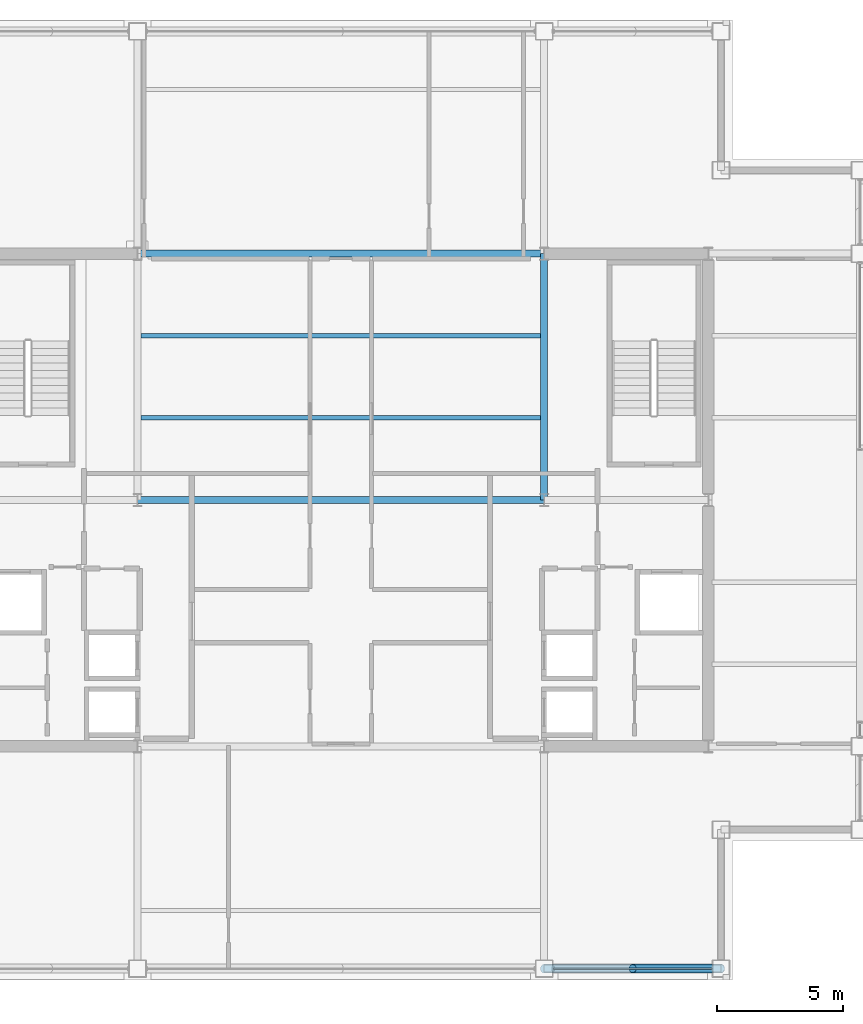
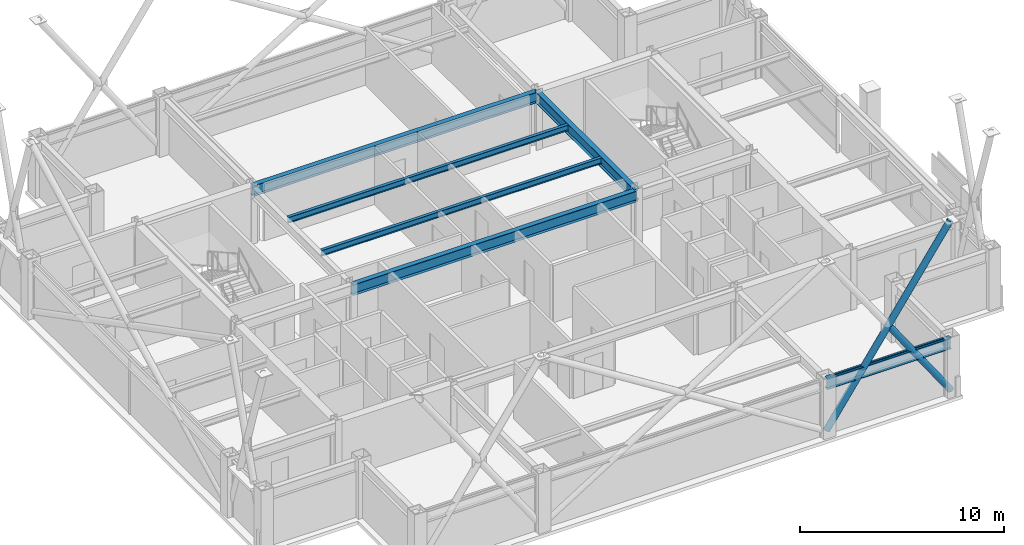
# One storey, part 13 of 33: 6 beams, 3 members, 1 element without a shape of its own.
"""IFC4 building model written with IfcOpenShell, lengths in metres."""

from ifc_helpers import new_model, si_unit, direction, frame, origin, origin_2d, place, context, subcontext, project, spatial, hollow_rectangle, hollow_circle, i_section, extrude, material, layer, layer_set, material_profile, profile_set, type_object, element, aggregate, save


model = new_model("IFC4")

# Units and contexts
model_context = context("Model", 3, precision=1e-05, world=origin(), true_north=direction((0.0, 1.0)))
body_context = subcontext(model_context, "Body", "Model", "MODEL_VIEW")
ifc_project = project(units=[si_unit("LENGTHUNIT", "METRE"), si_unit("AREAUNIT", "SQUARE_METRE"), si_unit("VOLUMEUNIT", "CUBIC_METRE"), si_unit("PLANEANGLEUNIT", "RADIAN"), si_unit("MASSUNIT", "GRAM", prefix="KILO")], contexts=[model_context])

# Site, building, storey
site_placement = place(None, origin())
site = spatial("IfcSite", under=ifc_project, at=site_placement, CompositionType="ELEMENT")
building_placement = place(site_placement, origin())
building = spatial("IfcBuilding", under=site, at=building_placement, Name="Brelmoor Portico Tower", CompositionType="ELEMENT")
storey_placement = place(building_placement, frame((0.0, 0.0, 194.699951171875)))
storey = spatial("IfcBuildingStorey", under=building, at=storey_placement, Name="L51", CompositionType="ELEMENT", Elevation=194.699951171875)

# Beams
ifc_material_1 = material(Name="Steel Q355B", Category="steel")
ifc_material_profile_1 = material_profile(ifc_material_1, i_section(OverallWidth=0.175048828125, OverallDepth=0.35009765625, WebThickness=0.007080078125, FlangeThickness=0.010986328125, at=origin_2d()), Name="HN 350x175x7x11")
ifc_profile_set_1 = profile_set([ifc_material_profile_1], Name="Steel Q355B")
beam_type_1 = type_object("IfcBeamType", Name="BM-JS-350", PredefinedType="JOIST", material=ifc_profile_set_1)
for number, where, z_axis, x_axis, name in (
    (1, (-7.909912109375, 3.25, 3.22509765625), (1.0, 0.0, 0.0), (0.0, 1.0, 0.0), "L51 Secondary Composite Joist JS-C02"),
    (2, (-7.909912109375, 6.5, 3.22509765625), (1.0, 0.0, 0.0), (0.0, 1.0, 0.0), "L51 Secondary Composite Joist JS-C03"),
):
    element("IfcBeam", number, at=place(storey_placement, frame(where, z_axis=z_axis, x_axis=x_axis)), inside=storey, type_object=beam_type_1, Name=name, PredefinedType="JOIST", context=body_context, shape_type="SweptSolid", body=[
        extrude(i_section(OverallWidth=0.175048828125, OverallDepth=0.35009765625, WebThickness=0.007080078125, FlangeThickness=0.010986328125, at=origin_2d()), origin(), (0.0, 0.0, 1.0), 15.81982421875),
    ])
ifc_material_profile_2 = material_profile(ifc_material_1, i_section(OverallWidth=0.280029296875, OverallDepth=0.64990234375, WebThickness=0.012939453125, FlangeThickness=0.02197265625, at=origin_2d()), Name="HN 650x280x13x22")
ifc_profile_set_2 = profile_set([ifc_material_profile_2], Name="Steel Q355B")
beam_type_2 = type_object("IfcBeamType", Name="BM-PG-650", PredefinedType="BEAM", material=ifc_profile_set_2)
beam_1_placement = place(storey_placement, frame((8.050048828125, 0.0, 3.074951171875), z_axis=(0.0, 1.0, 0.0), x_axis=(-1.0, 0.0, 0.0)))
element("IfcBeam", 3, at=beam_1_placement, inside=storey, type_object=beam_type_2, Name="L51 Primary Floor Girder PG-07", PredefinedType="BEAM", context=body_context, shape_type="SweptSolid", body=[
    extrude(i_section(OverallWidth=0.280029296875, OverallDepth=0.64990234375, WebThickness=0.012939453125, FlangeThickness=0.02197265625, at=origin_2d()), origin(), (0.0, 0.0, 1.0), 9.75),
])
for number, where, z_axis, x_axis, name in (
    (4, (-8.050048828125, 0.0, 3.074951171875), (1.0, 0.0, 0.0), (0.0, 1.0, 0.0), "L51 Primary Floor Girder PG-17"),
    (5, (-8.050048828125, 9.75, 3.074951171875), (1.0, 0.0, 0.0), (0.0, 1.0, 0.0), "L51 Primary Floor Girder PG-21"),
):
    element("IfcBeam", number, at=place(storey_placement, frame(where, z_axis=z_axis, x_axis=x_axis)), inside=storey, type_object=beam_type_2, Name=name, PredefinedType="BEAM", context=body_context, shape_type="SweptSolid", body=[
        extrude(i_section(OverallWidth=0.280029296875, OverallDepth=0.64990234375, WebThickness=0.012939453125, FlangeThickness=0.02197265625, at=origin_2d()), origin(), (0.0, 0.0, 1.0), 16.10009765625),
    ])
ifc_material_profile_3 = material_profile(ifc_material_1, i_section(OverallWidth=0.280029296875, OverallDepth=0.64990234375, WebThickness=0.012939453125, FlangeThickness=0.02197265625, at=origin_2d()), Name="HN 650x280x13x22")
ifc_profile_set_3 = profile_set([ifc_material_profile_3], Name="Steel Q355B")
beam_type_3 = type_object("IfcBeamType", Name="BM-SP-650", PredefinedType="SPANDREL", material=ifc_profile_set_3)
beam_2_placement = place(storey_placement, frame((8.050048828125, -18.550048828125, 3.074951171875), z_axis=(1.0, 0.0, 0.0), x_axis=(0.0, 1.0, 0.0)))
element("IfcBeam", 6, at=beam_2_placement, inside=storey, type_object=beam_type_3, Name="L51 Perimeter Spandrel Beam SP-03", PredefinedType="SPANDREL", context=body_context, shape_type="SweptSolid", body=[
    extrude(i_section(OverallWidth=0.280029296875, OverallDepth=0.64990234375, WebThickness=0.012939453125, FlangeThickness=0.02197265625, at=origin_2d()), origin(), (0.0, 0.0, 1.0), 7.0),
])

# Members
ifc_material_profile_4 = material_profile(ifc_material_1, hollow_circle(Radius=0.177978515625, WallThickness=0.01611328125, at=origin_2d()), Name="CHS 356x16")
ifc_profile_set_4 = profile_set([ifc_material_profile_4], Name="Steel Q355B")
member_type_1 = type_object("IfcMemberType", Name="MB-BELT-DIAG2", PredefinedType="BRACE", material=ifc_profile_set_4)
member_1_placement = place(storey_placement, frame((8.050048828125, -18.550048828125, 0.25), z_axis=(0.569629338867, 0.0, 0.821901707203), x_axis=(0.0, 1.0, 0.0)))
element("IfcMember", 7, at=member_1_placement, inside=storey, type_object=member_type_1, Name="L51 Continuous Mega-X Brace 118A", PredefinedType="BRACE", context=body_context, shape_type="SweptSolid", body=[
    extrude(hollow_circle(Radius=0.177978515625, WallThickness=0.01611328125, at=origin_2d()), origin(), (0.0, 0.0, 1.0), 12.28857421875),
])
member_2_placement = place(storey_placement, frame((15.050048828125, -18.550048828125, 0.25), z_axis=(-0.569629338867, 0.0, 0.821901707203), x_axis=(0.0, -1.0, 0.0)))
element("IfcMember", 8, at=member_2_placement, inside=storey, type_object=member_type_1, Name="L51 Split Mega-X Brace 118B1", PredefinedType="BRACE", context=body_context, shape_type="SweptSolid", body=[
    extrude(hollow_circle(Radius=0.177978515625, WallThickness=0.01611328125, at=origin_2d()), origin(), (0.0, 0.0, 1.0), 6.144287109375),
])

# Curtain wall, member
ifc_material_2 = material(Name="Anodised Aluminium Alloy 6063-T6", Category="aluminium")
ifc_layer = layer(ifc_material_2, 0.179931640625)
ifc_layer_set = layer_set([ifc_layer], Name="Anodised Aluminium Alloy 6063-T6")
curtain_wall_type = type_object("IfcCurtainWallType", Name="CW-TOWER-Z3-XB", PredefinedType="NOTDEFINED", material=ifc_layer_set)
curtain_wall_placement = place(storey_placement, origin())
curtain_wall = element("IfcCurtainWall", 9, at=curtain_wall_placement, inside=storey, type_object=curtain_wall_type, Name="L51 Curtain Wall CW-L51-01-3", PredefinedType="NOTDEFINED")
ifc_material_profile_5 = material_profile(ifc_material_2, hollow_rectangle(XDim=0.06005859375, YDim=0.125, WallThickness=0.00341796875, at=origin_2d()), Name="ALU TRANSOM 60x125")
ifc_profile_set_5 = profile_set([ifc_material_profile_5], Name="Anodised Aluminium Alloy 6063-T6")
member_type_2 = type_object("IfcMemberType", Name="MB-CW-TRAN-125", PredefinedType="USERDEFINED", material=ifc_profile_set_5)
member_3_placement = place(storey_placement, frame((8.409912109375, -18.550048828125, 3.337646484375), z_axis=(1.0, 0.0, 0.0), x_axis=(0.0, 1.0, 0.0)))
member_3 = element("IfcMember", 10, at=member_3_placement, type_object=member_type_2, Name="CW-L51-01-3 Transom 1-00", ObjectType="TRANSOM", PredefinedType="USERDEFINED", context=body_context, shape_type="SweptSolid", body=[
    extrude(hollow_rectangle(XDim=0.06005859375, YDim=0.125, WallThickness=0.00341796875, at=origin_2d()), origin(), (0.0, 0.0, 1.0), 6.280029296875),
])
aggregate(curtain_wall, [member_3])

save(model, "model.ifc")
